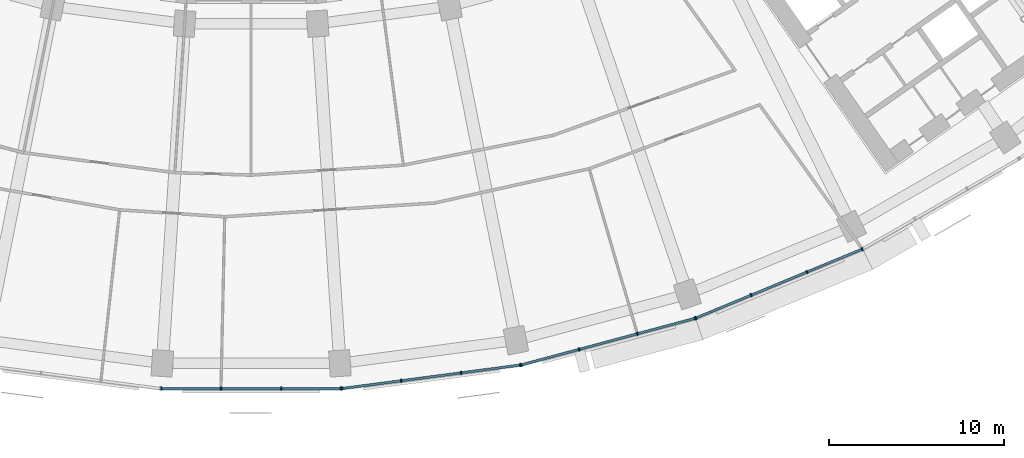
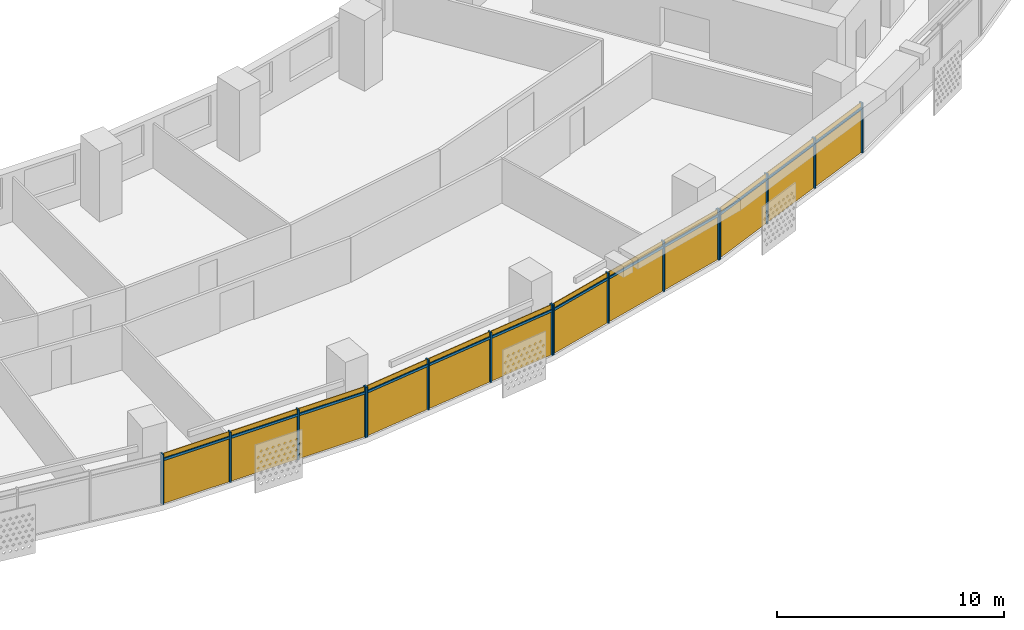
# One storey, part 20 of 29: 28 members, 4 curtain walls.
"""IFC4 building model written with IfcOpenShell, lengths in metres."""

from ifc_helpers import new_model, si_unit, direction, frame, origin, origin_2d, place, context, subcontext, project, spatial, rectangle, extrude, material, material_profile, profile_set, type_object, element, aggregate, save


model = new_model("IFC4")

# Units and contexts
model_context = context("Model", 3, precision=1e-05, world=origin(), true_north=direction((0.0, 1.0)))
body_context = subcontext(model_context, "Body", "Model", "MODEL_VIEW")
ifc_project = project(units=[si_unit("LENGTHUNIT", "METRE"), si_unit("AREAUNIT", "SQUARE_METRE"), si_unit("VOLUMEUNIT", "CUBIC_METRE"), si_unit("PLANEANGLEUNIT", "RADIAN"), si_unit("MASSUNIT", "GRAM", prefix="KILO")], contexts=[model_context])

# Member
ifc_material = material(Name="Aluminium 6063-T6 anodised", Category="aluminium")
ifc_material_profile_1 = material_profile(ifc_material, rectangle(XDim=0.199951171875, YDim=0.070068359375, at=origin_2d()))
ifc_profile_set_1 = profile_set([ifc_material_profile_1], Name="Aluminium 6063-T6 anodised")
member_type_1 = type_object("IfcMemberType", Name="Mullion 70 x 200 aluminium", PredefinedType="MULLION", material=ifc_profile_set_1)
site_placement = place(None, origin())
building_placement = place(site_placement, origin())
storey_placement = place(building_placement, frame((0.0, 0.0, 121.5)))
member_1_placement = place(storey_placement, frame((-5.1513671875, -79.0302734375, 0.0), z_axis=(0.0, 0.0, 1.0), x_axis=(0.0, 1.0, 0.0)))
member_1 = element("IfcMember", 1, at=member_1_placement, type_object=member_type_1, Name="e-cw1-L27-out09/M00", PredefinedType="MULLION", context=body_context, shape_type="SweptSolid", body=[
    extrude(rectangle(XDim=0.199951171875, YDim=0.070068359375, at=origin_2d()), origin(), (0.0, 0.0, 1.0), 2.699951171875),
])

member_2_placement = place(storey_placement, frame((-1.728759765625, -79.0302734375, 0.0), z_axis=(0.0, 0.0, 1.0), x_axis=(0.0, 1.0, 0.0)))
member_2 = element("IfcMember", 2, at=member_2_placement, type_object=member_type_1, Name="e-cw1-L27-out09/M01", PredefinedType="MULLION", context=body_context, shape_type="SweptSolid", body=[
    extrude(rectangle(XDim=0.199951171875, YDim=0.070068359375, at=origin_2d()), origin(), (0.0, 0.0, 1.0), 2.699951171875),
])

member_3_placement = place(storey_placement, frame((1.728759765625, -79.0302734375, 0.0), z_axis=(0.0, 0.0, 1.0), x_axis=(0.0, 1.0, 0.0)))
member_3 = element("IfcMember", 3, at=member_3_placement, type_object=member_type_1, Name="e-cw1-L27-out09/M02", PredefinedType="MULLION", context=body_context, shape_type="SweptSolid", body=[
    extrude(rectangle(XDim=0.199951171875, YDim=0.070068359375, at=origin_2d()), origin(), (0.0, 0.0, 1.0), 2.699951171875),
])

member_4_placement = place(storey_placement, frame((5.1513671875, -79.0302734375, 0.0), z_axis=(0.0, 0.0, 1.0), x_axis=(0.0, 1.0, 0.0)))
member_4 = element("IfcMember", 4, at=member_4_placement, type_object=member_type_1, Name="e-cw1-L27-out09/M03", PredefinedType="MULLION", context=body_context, shape_type="SweptSolid", body=[
    extrude(rectangle(XDim=0.199951171875, YDim=0.070068359375, at=origin_2d()), origin(), (0.0, 0.0, 1.0), 2.699951171875),
])

member_5_placement = place(storey_placement, frame((5.2080078125, -79.026611328125, 0.0), z_axis=(0.0, 0.0, 1.0), x_axis=(-0.13052619222, 0.991444861374, 0.0)))
member_5 = element("IfcMember", 5, at=member_5_placement, type_object=member_type_1, Name="e-cw1-L27-out10/M00", PredefinedType="MULLION", context=body_context, shape_type="SweptSolid", body=[
    extrude(rectangle(XDim=0.199951171875, YDim=0.070068359375, at=origin_2d()), origin(), (0.0, 0.0, 1.0), 2.699951171875),
])

member_6_placement = place(storey_placement, frame((8.6015625, -78.579833984375, 0.0), z_axis=(0.0, 0.0, 1.0), x_axis=(-0.13052619222, 0.991444861374, 0.0)))
member_6 = element("IfcMember", 6, at=member_6_placement, type_object=member_type_1, Name="e-cw1-L27-out10/M01", PredefinedType="MULLION", context=body_context, shape_type="SweptSolid", body=[
    extrude(rectangle(XDim=0.199951171875, YDim=0.070068359375, at=origin_2d()), origin(), (0.0, 0.0, 1.0), 2.699951171875),
])

member_7_placement = place(storey_placement, frame((12.029541015625, -78.12841796875, 0.0), z_axis=(0.0, 0.0, 1.0), x_axis=(-0.13052619222, 0.991444861374, 0.0)))
member_7 = element("IfcMember", 7, at=member_7_placement, type_object=member_type_1, Name="e-cw1-L27-out10/M02", PredefinedType="MULLION", context=body_context, shape_type="SweptSolid", body=[
    extrude(rectangle(XDim=0.199951171875, YDim=0.070068359375, at=origin_2d()), origin(), (0.0, 0.0, 1.0), 2.699951171875),
])

member_8_placement = place(storey_placement, frame((15.4228515625, -77.681640625, 0.0), z_axis=(0.0, 0.0, 1.0), x_axis=(-0.13052619222, 0.991444861374, 0.0)))
member_8 = element("IfcMember", 8, at=member_8_placement, type_object=member_type_1, Name="e-cw1-L27-out10/M03", PredefinedType="MULLION", context=body_context, shape_type="SweptSolid", body=[
    extrude(rectangle(XDim=0.199951171875, YDim=0.070068359375, at=origin_2d()), origin(), (0.0, 0.0, 1.0), 2.699951171875),
])

member_9_placement = place(storey_placement, frame((15.478515625, -77.670654296875, 0.0), z_axis=(0.0, 0.0, 1.0), x_axis=(-0.258819045103, 0.965925826289, 0.0)))
member_9 = element("IfcMember", 9, at=member_9_placement, type_object=member_type_1, Name="e-cw1-L27-out11/M00", PredefinedType="MULLION", context=body_context, shape_type="SweptSolid", body=[
    extrude(rectangle(XDim=0.199951171875, YDim=0.070068359375, at=origin_2d()), origin(), (0.0, 0.0, 1.0), 2.699951171875),
])

member_10_placement = place(storey_placement, frame((18.78466796875, -76.78466796875, 0.0), z_axis=(0.0, 0.0, 1.0), x_axis=(-0.258819045103, 0.965925826289, 0.0)))
member_10 = element("IfcMember", 10, at=member_10_placement, type_object=member_type_1, Name="e-cw1-L27-out11/M01", PredefinedType="MULLION", context=body_context, shape_type="SweptSolid", body=[
    extrude(rectangle(XDim=0.199951171875, YDim=0.070068359375, at=origin_2d()), origin(), (0.0, 0.0, 1.0), 2.699951171875),
])

member_11_placement = place(storey_placement, frame((22.12451171875, -75.889892578125, 0.0), z_axis=(0.0, 0.0, 1.0), x_axis=(-0.258819045103, 0.965925826289, 0.0)))
member_11 = element("IfcMember", 11, at=member_11_placement, type_object=member_type_1, Name="e-cw1-L27-out11/M02", PredefinedType="MULLION", context=body_context, shape_type="SweptSolid", body=[
    extrude(rectangle(XDim=0.199951171875, YDim=0.070068359375, at=origin_2d()), origin(), (0.0, 0.0, 1.0), 2.699951171875),
])

member_12_placement = place(storey_placement, frame((25.430419921875, -75.00390625, 0.0), z_axis=(0.0, 0.0, 1.0), x_axis=(-0.258819045103, 0.965925826289, 0.0)))
member_12 = element("IfcMember", 12, at=member_12_placement, type_object=member_type_1, Name="e-cw1-L27-out11/M03", PredefinedType="MULLION", context=body_context, shape_type="SweptSolid", body=[
    extrude(rectangle(XDim=0.199951171875, YDim=0.070068359375, at=origin_2d()), origin(), (0.0, 0.0, 1.0), 2.699951171875),
])

member_13_placement = place(storey_placement, frame((25.484130859375, -74.98583984375, 0.0), z_axis=(0.0, 0.0, 1.0), x_axis=(-0.382683432365, 0.923879532511, 0.0)))
member_13 = element("IfcMember", 13, at=member_13_placement, type_object=member_type_1, Name="e-cw1-L27-out12/M00", PredefinedType="MULLION", context=body_context, shape_type="SweptSolid", body=[
    extrude(rectangle(XDim=0.199951171875, YDim=0.070068359375, at=origin_2d()), origin(), (0.0, 0.0, 1.0), 2.699951171875),
])

member_14_placement = place(storey_placement, frame((28.646240234375, -73.676025390625, 0.0), z_axis=(0.0, 0.0, 1.0), x_axis=(-0.382683432365, 0.923879532511, 0.0)))
member_14 = element("IfcMember", 14, at=member_14_placement, type_object=member_type_1, Name="e-cw1-L27-out12/M01", PredefinedType="MULLION", context=body_context, shape_type="SweptSolid", body=[
    extrude(rectangle(XDim=0.199951171875, YDim=0.070068359375, at=origin_2d()), origin(), (0.0, 0.0, 1.0), 2.699951171875),
])

member_15_placement = place(storey_placement, frame((31.8408203125, -72.352783203125, 0.0), z_axis=(0.0, 0.0, 1.0), x_axis=(-0.382683432365, 0.923879532511, 0.0)))
member_15 = element("IfcMember", 15, at=member_15_placement, type_object=member_type_1, Name="e-cw1-L27-out12/M02", PredefinedType="MULLION", context=body_context, shape_type="SweptSolid", body=[
    extrude(rectangle(XDim=0.199951171875, YDim=0.070068359375, at=origin_2d()), origin(), (0.0, 0.0, 1.0), 2.699951171875),
])

member_16_placement = place(storey_placement, frame((35.0029296875, -71.04296875, 0.0), z_axis=(0.0, 0.0, 1.0), x_axis=(-0.382683432365, 0.923879532511, 0.0)))
member_16 = element("IfcMember", 16, at=member_16_placement, type_object=member_type_1, Name="e-cw1-L27-out12/M03", PredefinedType="MULLION", context=body_context, shape_type="SweptSolid", body=[
    extrude(rectangle(XDim=0.199951171875, YDim=0.070068359375, at=origin_2d()), origin(), (0.0, 0.0, 1.0), 2.699951171875),
])

ifc_material_profile_2 = material_profile(ifc_material, rectangle(XDim=0.139892578125, YDim=0.1201171875, at=origin_2d()))
ifc_profile_set_2 = profile_set([ifc_material_profile_2], Name="Aluminium 6063-T6 anodised")
member_type_2 = type_object("IfcMemberType", Name="Transom 120 x 140 aluminium", PredefinedType="USERDEFINED", material=ifc_profile_set_2)
member_17_placement = place(storey_placement, frame((-5.116455078125, -79.0302734375, 2.39990234375), z_axis=(1.0, 0.0, 0.0), x_axis=(0.0, 1.0, 0.0)))
member_17 = element("IfcMember", 17, at=member_17_placement, type_object=member_type_2, Name="e-cw1-L27-out09/T00", ObjectType="TRANSOM", PredefinedType="USERDEFINED", context=body_context, shape_type="SweptSolid", body=[
    extrude(rectangle(XDim=0.139892578125, YDim=0.1201171875, at=origin_2d()), origin(), (0.0, 0.0, 1.0), 3.3525390625),
])

member_18_placement = place(storey_placement, frame((-1.69384765625, -79.0302734375, 2.39990234375), z_axis=(1.0, 0.0, 0.0), x_axis=(0.0, 1.0, 0.0)))
member_18 = element("IfcMember", 18, at=member_18_placement, type_object=member_type_2, Name="e-cw1-L27-out09/T01", ObjectType="TRANSOM", PredefinedType="USERDEFINED", context=body_context, shape_type="SweptSolid", body=[
    extrude(rectangle(XDim=0.139892578125, YDim=0.1201171875, at=origin_2d()), origin(), (0.0, 0.0, 1.0), 3.3876953125),
])

member_19_placement = place(storey_placement, frame((1.763916015625, -79.0302734375, 2.39990234375), z_axis=(1.0, 0.0, 0.0), x_axis=(0.0, 1.0, 0.0)))
member_19 = element("IfcMember", 19, at=member_19_placement, type_object=member_type_2, Name="e-cw1-L27-out09/T02", ObjectType="TRANSOM", PredefinedType="USERDEFINED", context=body_context, shape_type="SweptSolid", body=[
    extrude(rectangle(XDim=0.139892578125, YDim=0.1201171875, at=origin_2d()), origin(), (0.0, 0.0, 1.0), 3.3525390625),
])

member_20_placement = place(storey_placement, frame((5.242919921875, -79.02197265625, 2.39990234375), z_axis=(0.991439665896, 0.130565649721, 0.0), x_axis=(-0.130565649721, 0.991439665896, 0.0)))
member_20 = element("IfcMember", 20, at=member_20_placement, type_object=member_type_2, Name="e-cw1-L27-out10/T00", ObjectType="TRANSOM", PredefinedType="USERDEFINED", context=body_context, shape_type="SweptSolid", body=[
    extrude(rectangle(XDim=0.139892578125, YDim=0.1201171875, at=origin_2d()), origin(), (0.0, 0.0, 1.0), 3.352783203125),
])

member_21_placement = place(storey_placement, frame((8.63623046875, -78.5751953125, 2.39990234375), z_axis=(0.991446198807, 0.130516033004, 0.0), x_axis=(-0.130516033004, 0.991446198807, 0.0)))
member_21 = element("IfcMember", 21, at=member_21_placement, type_object=member_type_2, Name="e-cw1-L27-out10/T01", ObjectType="TRANSOM", PredefinedType="USERDEFINED", context=body_context, shape_type="SweptSolid", body=[
    extrude(rectangle(XDim=0.139892578125, YDim=0.1201171875, at=origin_2d()), origin(), (0.0, 0.0, 1.0), 3.3876953125),
])

member_22_placement = place(storey_placement, frame((12.064208984375, -78.123779296875, 2.39990234375), z_axis=(0.991449089759, 0.130494070426, 0.0), x_axis=(-0.130494070426, 0.991449089759, 0.0)))
member_22 = element("IfcMember", 22, at=member_22_placement, type_object=member_type_2, Name="e-cw1-L27-out10/T02", ObjectType="TRANSOM", PredefinedType="USERDEFINED", context=body_context, shape_type="SweptSolid", body=[
    extrude(rectangle(XDim=0.139892578125, YDim=0.1201171875, at=origin_2d()), origin(), (0.0, 0.0, 1.0), 3.3525390625),
])

member_23_placement = place(storey_placement, frame((15.512451171875, -77.66162109375, 2.39990234375), z_axis=(0.965927247937, 0.258813739382, 0.0), x_axis=(-0.258813739382, 0.965927247937, 0.0)))
member_23 = element("IfcMember", 23, at=member_23_placement, type_object=member_type_2, Name="e-cw1-L27-out11/T00", ObjectType="TRANSOM", PredefinedType="USERDEFINED", context=body_context, shape_type="SweptSolid", body=[
    extrude(rectangle(XDim=0.139892578125, YDim=0.1201171875, at=origin_2d()), origin(), (0.0, 0.0, 1.0), 3.3525390625),
])

member_24_placement = place(storey_placement, frame((18.818359375, -76.775634765625, 2.39990234375), z_axis=(0.965931646033, 0.258797324547, 0.0), x_axis=(-0.258797324547, 0.965931646033, 0.0)))
member_24 = element("IfcMember", 24, at=member_24_placement, type_object=member_type_2, Name="e-cw1-L27-out11/T01", ObjectType="TRANSOM", PredefinedType="USERDEFINED", context=body_context, shape_type="SweptSolid", body=[
    extrude(rectangle(XDim=0.139892578125, YDim=0.1201171875, at=origin_2d()), origin(), (0.0, 0.0, 1.0), 3.3876953125),
])

member_25_placement = place(storey_placement, frame((22.158203125, -75.880859375, 2.39990234375), z_axis=(0.965932125453, 0.258795535157, 0.0), x_axis=(-0.258795535157, 0.965932125453, 0.0)))
member_25 = element("IfcMember", 25, at=member_25_placement, type_object=member_type_2, Name="e-cw1-L27-out11/T02", ObjectType="TRANSOM", PredefinedType="USERDEFINED", context=body_context, shape_type="SweptSolid", body=[
    extrude(rectangle(XDim=0.139892578125, YDim=0.1201171875, at=origin_2d()), origin(), (0.0, 0.0, 1.0), 3.352783203125),
])

member_26_placement = place(storey_placement, frame((25.5166015625, -74.972412109375, 2.39990234375), z_axis=(0.923882814237, 0.382675509483, 0.0), x_axis=(-0.382675509483, 0.923882814237, 0.0)))
member_26 = element("IfcMember", 26, at=member_26_placement, type_object=member_type_2, Name="e-cw1-L27-out12/T00", ObjectType="TRANSOM", PredefinedType="USERDEFINED", context=body_context, shape_type="SweptSolid", body=[
    extrude(rectangle(XDim=0.139892578125, YDim=0.1201171875, at=origin_2d()), origin(), (0.0, 0.0, 1.0), 3.3525390625),
])

member_27_placement = place(storey_placement, frame((28.6787109375, -73.66259765625, 2.39990234375), z_axis=(0.923874529423, 0.382695510666, 0.0), x_axis=(-0.382695510666, 0.923874529423, 0.0)))
member_27 = element("IfcMember", 27, at=member_27_placement, type_object=member_type_2, Name="e-cw1-L27-out12/T01", ObjectType="TRANSOM", PredefinedType="USERDEFINED", context=body_context, shape_type="SweptSolid", body=[
    extrude(rectangle(XDim=0.139892578125, YDim=0.1201171875, at=origin_2d()), origin(), (0.0, 0.0, 1.0), 3.387451171875),
])

member_28_placement = place(storey_placement, frame((31.873046875, -72.33935546875, 2.39990234375), z_axis=(0.923882814237, 0.382675509483, 0.0), x_axis=(-0.382675509483, 0.923882814237, 0.0)))
member_28 = element("IfcMember", 28, at=member_28_placement, type_object=member_type_2, Name="e-cw1-L27-out12/T02", ObjectType="TRANSOM", PredefinedType="USERDEFINED", context=body_context, shape_type="SweptSolid", body=[
    extrude(rectangle(XDim=0.139892578125, YDim=0.1201171875, at=origin_2d()), origin(), (0.0, 0.0, 1.0), 3.3525390625),
])

# Site, building, storey
site = spatial("IfcSite", under=ifc_project, at=site_placement, CompositionType="ELEMENT")
building = spatial("IfcBuilding", under=site, at=building_placement, Name="Qamariyya Broadcast Tower", CompositionType="ELEMENT")
storey = spatial("IfcBuildingStorey", under=building, at=storey_placement, Name="L27", CompositionType="ELEMENT", Elevation=121.5)

# Curtain wall
curtain_wall_type = type_object("IfcCurtainWallType", Name="Unitised curtain wall, anodised aluminium", PredefinedType="NOTDEFINED", material=ifc_material)
curtain_wall_1_placement = place(storey_placement, origin())
curtain_wall_1 = element("IfcCurtainWall", 29, at=curtain_wall_1_placement, inside=storey, type_object=curtain_wall_type, Name="e-cw1-L27-out09", PredefinedType="NOTDEFINED", context=body_context, shape_type="SweptSolid", body=[
    extrude(rectangle(XDim=3.352783203125, YDim=0.031982421875, at=origin_2d()), frame((-3.440185546875, -79.0302734375, 0.0), x_axis=(1.0, 0.0, 0.0)), (0.0, 0.0, 1.0), 2.340087890625),
    extrude(rectangle(XDim=3.352783203125, YDim=0.031982421875, at=origin_2d()), frame((-3.440185546875, -79.0302734375, 2.4599609375), x_axis=(1.0, 0.0, 0.0)), (0.0, 0.0, 1.0), 0.239990234375),
    extrude(rectangle(XDim=3.3876953125, YDim=0.031982421875, at=origin_2d()), frame((0.0, -79.0302734375, 0.0), x_axis=(1.0, 0.0, 0.0)), (0.0, 0.0, 1.0), 2.340087890625),
    extrude(rectangle(XDim=3.3876953125, YDim=0.031982421875, at=origin_2d()), frame((0.0, -79.0302734375, 2.4599609375), x_axis=(1.0, 0.0, 0.0)), (0.0, 0.0, 1.0), 0.239990234375),
    extrude(rectangle(XDim=3.352783203125, YDim=0.031982421875, at=origin_2d()), frame((3.440185546875, -79.0302734375, 0.0), x_axis=(1.0, 0.0, 0.0)), (0.0, 0.0, 1.0), 2.340087890625),
    extrude(rectangle(XDim=3.352783203125, YDim=0.031982421875, at=origin_2d()), frame((3.440185546875, -79.0302734375, 2.4599609375), x_axis=(1.0, 0.0, 0.0)), (0.0, 0.0, 1.0), 0.239990234375),
])

aggregate(curtain_wall_1, [member_1, member_2, member_3, member_4, member_17, member_18, member_19])

curtain_wall_2_placement = place(storey_placement, origin())
curtain_wall_2 = element("IfcCurtainWall", 30, at=curtain_wall_2_placement, inside=storey, type_object=curtain_wall_type, Name="e-cw1-L27-out10", PredefinedType="NOTDEFINED", context=body_context, shape_type="SweptSolid", body=[
    extrude(rectangle(XDim=3.3525390625, YDim=0.031982421875, at=origin_2d()), frame((6.90478515625, -78.802978515625, 0.0), x_axis=(0.991447084105, 0.13050930779, 0.0)), (0.0, 0.0, 1.0), 2.340087890625),
    extrude(rectangle(XDim=3.3525390625, YDim=0.031982421875, at=origin_2d()), frame((6.90478515625, -78.802978515625, 2.4599609375), x_axis=(0.991447084105, 0.13050930779, 0.0)), (0.0, 0.0, 1.0), 0.239990234375),
    extrude(rectangle(XDim=3.3876953125, YDim=0.031982421875, at=origin_2d()), frame((10.3154296875, -78.35400390625, 0.0), x_axis=(0.991447084105, 0.13050930779, 0.0)), (0.0, 0.0, 1.0), 2.340087890625),
    extrude(rectangle(XDim=3.3876953125, YDim=0.031982421875, at=origin_2d()), frame((10.3154296875, -78.35400390625, 2.4599609375), x_axis=(0.991447084105, 0.13050930779, 0.0)), (0.0, 0.0, 1.0), 0.239990234375),
    extrude(rectangle(XDim=3.3525390625, YDim=0.031982421875, at=origin_2d()), frame((13.72607421875, -77.9052734375, 0.0), x_axis=(0.991447084105, 0.13050930779, 0.0)), (0.0, 0.0, 1.0), 2.340087890625),
    extrude(rectangle(XDim=3.3525390625, YDim=0.031982421875, at=origin_2d()), frame((13.72607421875, -77.9052734375, 2.4599609375), x_axis=(0.991447084105, 0.13050930779, 0.0)), (0.0, 0.0, 1.0), 0.239990234375),
])

aggregate(curtain_wall_2, [member_5, member_6, member_7, member_8, member_20, member_21, member_22])

curtain_wall_3_placement = place(storey_placement, origin())
curtain_wall_3 = element("IfcCurtainWall", 31, at=curtain_wall_3_placement, inside=storey, type_object=curtain_wall_type, Name="e-cw1-L27-out11", PredefinedType="NOTDEFINED", context=body_context, shape_type="SweptSolid", body=[
    extrude(rectangle(XDim=3.352783203125, YDim=0.031982421875, at=origin_2d()), frame((17.131591796875, -77.227783203125, 0.0), x_axis=(0.965923677743, 0.258827063454, 0.0)), (0.0, 0.0, 1.0), 2.340087890625),
    extrude(rectangle(XDim=3.352783203125, YDim=0.031982421875, at=origin_2d()), frame((17.131591796875, -77.227783203125, 2.4599609375), x_axis=(0.965923677743, 0.258827063454, 0.0)), (0.0, 0.0, 1.0), 0.239990234375),
    extrude(rectangle(XDim=3.3876953125, YDim=0.031982421875, at=origin_2d()), frame((20.45458984375, -76.33740234375, 0.0), x_axis=(0.965923677743, 0.258827063454, 0.0)), (0.0, 0.0, 1.0), 2.340087890625),
    extrude(rectangle(XDim=3.3876953125, YDim=0.031982421875, at=origin_2d()), frame((20.45458984375, -76.33740234375, 2.4599609375), x_axis=(0.965923677743, 0.258827063454, 0.0)), (0.0, 0.0, 1.0), 0.239990234375),
    extrude(rectangle(XDim=3.352783203125, YDim=0.031982421875, at=origin_2d()), frame((23.777587890625, -75.44677734375, 0.0), x_axis=(0.965923677743, 0.258827063454, 0.0)), (0.0, 0.0, 1.0), 2.340087890625),
    extrude(rectangle(XDim=3.352783203125, YDim=0.031982421875, at=origin_2d()), frame((23.777587890625, -75.44677734375, 2.4599609375), x_axis=(0.965923677743, 0.258827063454, 0.0)), (0.0, 0.0, 1.0), 0.239990234375),
])

aggregate(curtain_wall_3, [member_9, member_10, member_11, member_12, member_23, member_24, member_25])

curtain_wall_4_placement = place(storey_placement, origin())
curtain_wall_4 = element("IfcCurtainWall", 32, at=curtain_wall_4_placement, inside=storey, type_object=curtain_wall_type, Name="e-cw1-L27-out12", PredefinedType="NOTDEFINED", context=body_context, shape_type="SweptSolid", body=[
    extrude(rectangle(XDim=3.3525390625, YDim=0.031982421875, at=origin_2d()), frame((27.065185546875, -74.3310546875, 0.0), x_axis=(0.923872250857, 0.382701011361, 0.0)), (0.0, 0.0, 1.0), 2.340087890625),
    extrude(rectangle(XDim=3.3525390625, YDim=0.031982421875, at=origin_2d()), frame((27.065185546875, -74.3310546875, 2.4599609375), x_axis=(0.923872250857, 0.382701011361, 0.0)), (0.0, 0.0, 1.0), 0.239990234375),
    extrude(rectangle(XDim=3.3876953125, YDim=0.031982421875, at=origin_2d()), frame((30.24365234375, -73.014404296875, 0.0), x_axis=(0.923872250857, 0.382701011361, 0.0)), (0.0, 0.0, 1.0), 2.340087890625),
    extrude(rectangle(XDim=3.3876953125, YDim=0.031982421875, at=origin_2d()), frame((30.24365234375, -73.014404296875, 2.4599609375), x_axis=(0.923872250857, 0.382701011361, 0.0)), (0.0, 0.0, 1.0), 0.239990234375),
    extrude(rectangle(XDim=3.3525390625, YDim=0.031982421875, at=origin_2d()), frame((33.421875, -71.69775390625, 0.0), x_axis=(0.923872250857, 0.382701011361, 0.0)), (0.0, 0.0, 1.0), 2.340087890625),
    extrude(rectangle(XDim=3.3525390625, YDim=0.031982421875, at=origin_2d()), frame((33.421875, -71.69775390625, 2.4599609375), x_axis=(0.923872250857, 0.382701011361, 0.0)), (0.0, 0.0, 1.0), 0.239990234375),
])

aggregate(curtain_wall_4, [member_13, member_14, member_15, member_16, member_26, member_27, member_28])

save(model, "model.ifc")
